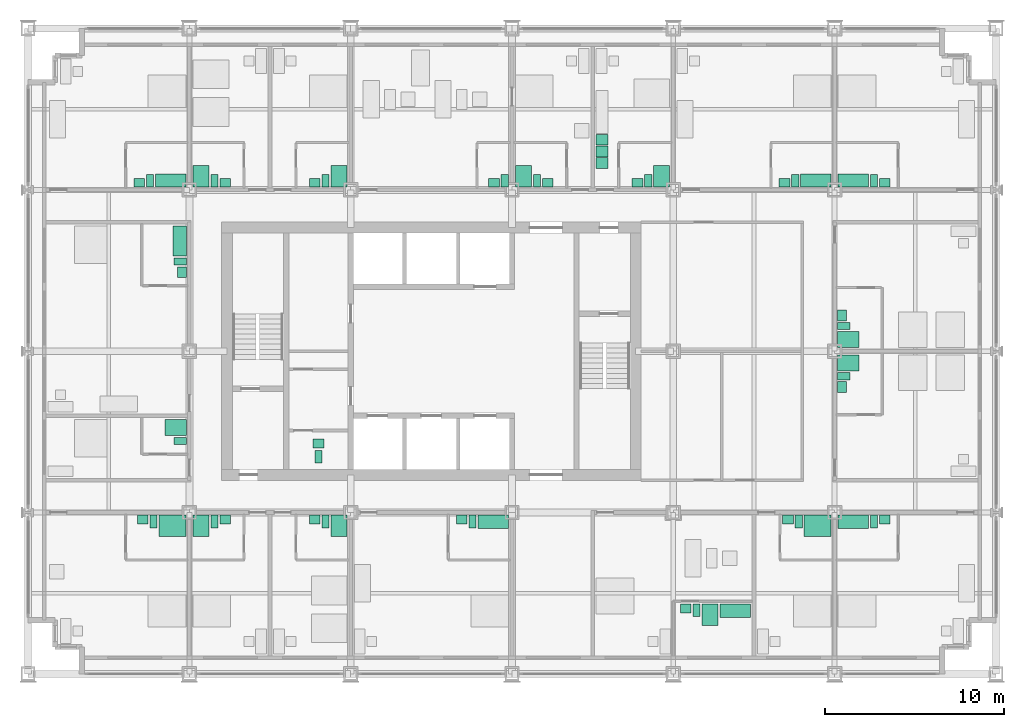
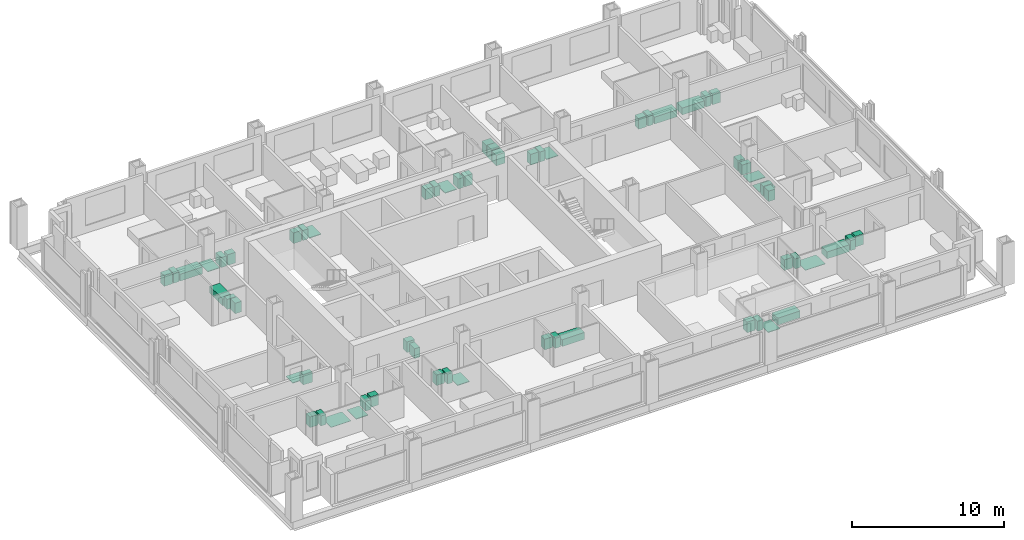
# One storey, part 17 of 18: 58 sanitary terminals, 3 electric appliances.
"""IFC4 building model written with IfcOpenShell, lengths in metres."""

from ifc_helpers import new_model, si_unit, direction, frame, origin, origin_2d, place, context, subcontext, project, spatial, rectangle, extrude, element, save


model = new_model("IFC4")

# Units and contexts
model_context = context("Model", 3, precision=1e-05, world=origin(), true_north=direction((0.0, 1.0)))
body_context = subcontext(model_context, "Body", "Model", "MODEL_VIEW")
ifc_project = project(units=[si_unit("LENGTHUNIT", "METRE"), si_unit("AREAUNIT", "SQUARE_METRE"), si_unit("VOLUMEUNIT", "CUBIC_METRE"), si_unit("PLANEANGLEUNIT", "RADIAN"), si_unit("MASSUNIT", "GRAM", prefix="KILO")], contexts=[model_context])

# Site, building, storey
site_placement = place(None, origin())
site = spatial("IfcSite", under=ifc_project, at=site_placement, CompositionType="ELEMENT")
building_placement = place(site_placement, origin())
building = spatial("IfcBuilding", under=site, at=building_placement, Name="Loomwork Tower", CompositionType="ELEMENT")
storey_placement = place(building_placement, frame((0.0, 0.0, 31.39990234375)))
storey = spatial("IfcBuildingStorey", under=building, at=storey_placement, Name="L06", CompositionType="ELEMENT", Elevation=31.39990234375)

# Sanitary terminals
sanitary_terminal_1_placement = place(storey_placement, frame((8.050048828125, 8.25, 0.0), z_axis=(0.0, 0.0, 1.0), x_axis=(1.0, 0.0, 0.0)))
element("IfcSanitaryTerminal", 1, at=sanitary_terminal_1_placement, inside=storey, Name="Roll-in shower floor L06", PredefinedType="SHOWER", context=body_context, shape_type="SweptSolid", body=[
    extrude(rectangle(XDim=1.5, YDim=1.199951171875, at=origin_2d()), origin(), (0.0, 0.0, 1.0), 0.030029296875),
])
sanitary_terminal_2_placement = place(storey_placement, frame((7.0, 8.5, 0.0), z_axis=(0.0, 0.0, 1.0), x_axis=(1.0, 0.0, 0.0)))
element("IfcSanitaryTerminal", 2, at=sanitary_terminal_2_placement, inside=storey, Name="WC L06", PredefinedType="TOILETPAN", context=body_context, shape_type="SweptSolid", body=[
    extrude(rectangle(XDim=0.39990234375, YDim=0.699951171875, at=origin_2d()), origin(), (0.0, 0.0, 1.0), 0.800048828125),
])
sanitary_terminal_3_placement = place(storey_placement, frame((6.39990234375, 8.60009765625, 0.0), z_axis=(0.0, 0.0, 1.0), x_axis=(1.0, 0.0, 0.0)))
element("IfcSanitaryTerminal", 3, at=sanitary_terminal_3_placement, inside=storey, Name="Basin vanity L06", PredefinedType="WASHHANDBASIN", context=body_context, shape_type="SweptSolid", body=[
    extrude(rectangle(XDim=0.60009765625, YDim=0.5, at=origin_2d()), origin(), (0.0, 0.0, 1.0), 0.85009765625),
])
sanitary_terminal_4_placement = place(storey_placement, frame((9.64990234375, 8.25, 0.0), z_axis=(0.0, 0.0, 1.0), x_axis=(1.0, 0.0, 0.0)))
element("IfcSanitaryTerminal", 4, at=sanitary_terminal_4_placement, inside=storey, Name="Shower tray L06", PredefinedType="SHOWER", context=body_context, shape_type="SweptSolid", body=[
    extrude(rectangle(XDim=0.89990234375, YDim=1.199951171875, at=origin_2d()), origin(), (0.0, 0.0, 1.0), 0.050048828125),
])
sanitary_terminal_5_placement = place(storey_placement, frame((10.39990234375, 8.5, 0.0), z_axis=(0.0, 0.0, 1.0), x_axis=(1.0, 0.0, 0.0)))
element("IfcSanitaryTerminal", 5, at=sanitary_terminal_5_placement, inside=storey, Name="WC L06", PredefinedType="TOILETPAN", context=body_context, shape_type="SweptSolid", body=[
    extrude(rectangle(XDim=0.39990234375, YDim=0.699951171875, at=origin_2d()), origin(), (0.0, 0.0, 1.0), 0.800048828125),
])
sanitary_terminal_6_placement = place(storey_placement, frame((11.0, 8.60009765625, 0.0), z_axis=(0.0, 0.0, 1.0), x_axis=(1.0, 0.0, 0.0)))
element("IfcSanitaryTerminal", 6, at=sanitary_terminal_6_placement, inside=storey, Name="Basin vanity L06", PredefinedType="WASHHANDBASIN", context=body_context, shape_type="SweptSolid", body=[
    extrude(rectangle(XDim=0.60009765625, YDim=0.5, at=origin_2d()), origin(), (0.0, 0.0, 1.0), 0.85009765625),
])
sanitary_terminal_7_placement = place(storey_placement, frame((17.35009765625, 8.25, 0.0), z_axis=(0.0, 0.0, 1.0), x_axis=(1.0, 0.0, 0.0)))
element("IfcSanitaryTerminal", 7, at=sanitary_terminal_7_placement, inside=storey, Name="Shower tray L06", PredefinedType="SHOWER", context=body_context, shape_type="SweptSolid", body=[
    extrude(rectangle(XDim=0.89990234375, YDim=1.199951171875, at=origin_2d()), origin(), (0.0, 0.0, 1.0), 0.050048828125),
])
sanitary_terminal_8_placement = place(storey_placement, frame((16.60009765625, 8.5, 0.0), z_axis=(0.0, 0.0, 1.0), x_axis=(1.0, 0.0, 0.0)))
element("IfcSanitaryTerminal", 8, at=sanitary_terminal_8_placement, inside=storey, Name="WC L06", PredefinedType="TOILETPAN", context=body_context, shape_type="SweptSolid", body=[
    extrude(rectangle(XDim=0.39990234375, YDim=0.699951171875, at=origin_2d()), origin(), (0.0, 0.0, 1.0), 0.800048828125),
])
sanitary_terminal_9_placement = place(storey_placement, frame((16.0, 8.60009765625, 0.0), z_axis=(0.0, 0.0, 1.0), x_axis=(1.0, 0.0, 0.0)))
element("IfcSanitaryTerminal", 9, at=sanitary_terminal_9_placement, inside=storey, Name="Basin vanity L06", PredefinedType="WASHHANDBASIN", context=body_context, shape_type="SweptSolid", body=[
    extrude(rectangle(XDim=0.60009765625, YDim=0.5, at=origin_2d()), origin(), (0.0, 0.0, 1.0), 0.85009765625),
])
sanitary_terminal_10_placement = place(storey_placement, frame((25.949951171875, 8.47509765625, 0.0), z_axis=(0.0, 0.0, 1.0), x_axis=(1.0, 0.0, 0.0)))
element("IfcSanitaryTerminal", 10, at=sanitary_terminal_10_placement, inside=storey, Name="Bath L06", PredefinedType="BATH", context=body_context, shape_type="SweptSolid", body=[
    extrude(rectangle(XDim=1.699951171875, YDim=0.75, at=origin_2d()), origin(), (0.0, 0.0, 1.0), 0.550048828125),
])
sanitary_terminal_11_placement = place(storey_placement, frame((24.800048828125, 8.5, 0.0), z_axis=(0.0, 0.0, 1.0), x_axis=(1.0, 0.0, 0.0)))
element("IfcSanitaryTerminal", 11, at=sanitary_terminal_11_placement, inside=storey, Name="WC L06", PredefinedType="TOILETPAN", context=body_context, shape_type="SweptSolid", body=[
    extrude(rectangle(XDim=0.39990234375, YDim=0.699951171875, at=origin_2d()), origin(), (0.0, 0.0, 1.0), 0.800048828125),
])
sanitary_terminal_12_placement = place(storey_placement, frame((24.199951171875, 8.60009765625, 0.0), z_axis=(0.0, 0.0, 1.0), x_axis=(1.0, 0.0, 0.0)))
element("IfcSanitaryTerminal", 12, at=sanitary_terminal_12_placement, inside=storey, Name="Basin vanity L06", PredefinedType="WASHHANDBASIN", context=body_context, shape_type="SweptSolid", body=[
    extrude(rectangle(XDim=0.60009765625, YDim=0.5, at=origin_2d()), origin(), (0.0, 0.0, 1.0), 0.85009765625),
])
sanitary_terminal_13_placement = place(storey_placement, frame((39.449951171875, 3.52490234375, 0.0), z_axis=(0.0, 0.0, 1.0), x_axis=(1.0, 0.0, 0.0)))
element("IfcSanitaryTerminal", 13, at=sanitary_terminal_13_placement, inside=storey, Name="Bath L06", PredefinedType="BATH", context=body_context, shape_type="SweptSolid", body=[
    extrude(rectangle(XDim=1.699951171875, YDim=0.75, at=origin_2d()), origin(), (0.0, 0.0, 1.0), 0.550048828125),
])
sanitary_terminal_14_placement = place(storey_placement, frame((38.050048828125, 3.300048828125, 0.0), z_axis=(0.0, 0.0, 1.0), x_axis=(1.0, 0.0, 0.0)))
element("IfcSanitaryTerminal", 14, at=sanitary_terminal_14_placement, inside=storey, Name="Shower tray L06", PredefinedType="SHOWER", context=body_context, shape_type="SweptSolid", body=[
    extrude(rectangle(XDim=0.89990234375, YDim=1.199951171875, at=origin_2d()), origin(), (0.0, 0.0, 1.0), 0.050048828125),
])
sanitary_terminal_15_placement = place(storey_placement, frame((37.300048828125, 3.550048828125, 0.0), z_axis=(0.0, 0.0, 1.0), x_axis=(1.0, 0.0, 0.0)))
element("IfcSanitaryTerminal", 15, at=sanitary_terminal_15_placement, inside=storey, Name="WC L06", PredefinedType="TOILETPAN", context=body_context, shape_type="SweptSolid", body=[
    extrude(rectangle(XDim=0.39990234375, YDim=0.699951171875, at=origin_2d()), origin(), (0.0, 0.0, 1.0), 0.800048828125),
])
sanitary_terminal_16_placement = place(storey_placement, frame((36.699951171875, 3.64990234375, 0.0), z_axis=(0.0, 0.0, 1.0), x_axis=(1.0, 0.0, 0.0)))
element("IfcSanitaryTerminal", 16, at=sanitary_terminal_16_placement, inside=storey, Name="Basin vanity L06", PredefinedType="WASHHANDBASIN", context=body_context, shape_type="SweptSolid", body=[
    extrude(rectangle(XDim=0.60009765625, YDim=0.5, at=origin_2d()), origin(), (0.0, 0.0, 1.0), 0.85009765625),
])
sanitary_terminal_17_placement = place(storey_placement, frame((44.050048828125, 8.25, 0.0), z_axis=(0.0, 0.0, 1.0), x_axis=(1.0, 0.0, 0.0)))
element("IfcSanitaryTerminal", 17, at=sanitary_terminal_17_placement, inside=storey, Name="Roll-in shower floor L06", PredefinedType="SHOWER", context=body_context, shape_type="SweptSolid", body=[
    extrude(rectangle(XDim=1.5, YDim=1.199951171875, at=origin_2d()), origin(), (0.0, 0.0, 1.0), 0.030029296875),
])
sanitary_terminal_18_placement = place(storey_placement, frame((43.0, 8.5, 0.0), z_axis=(0.0, 0.0, 1.0), x_axis=(1.0, 0.0, 0.0)))
element("IfcSanitaryTerminal", 18, at=sanitary_terminal_18_placement, inside=storey, Name="WC L06", PredefinedType="TOILETPAN", context=body_context, shape_type="SweptSolid", body=[
    extrude(rectangle(XDim=0.39990234375, YDim=0.699951171875, at=origin_2d()), origin(), (0.0, 0.0, 1.0), 0.800048828125),
])
sanitary_terminal_19_placement = place(storey_placement, frame((42.39990234375, 8.60009765625, 0.0), z_axis=(0.0, 0.0, 1.0), x_axis=(1.0, 0.0, 0.0)))
element("IfcSanitaryTerminal", 19, at=sanitary_terminal_19_placement, inside=storey, Name="Basin vanity L06", PredefinedType="WASHHANDBASIN", context=body_context, shape_type="SweptSolid", body=[
    extrude(rectangle(XDim=0.60009765625, YDim=0.5, at=origin_2d()), origin(), (0.0, 0.0, 1.0), 0.85009765625),
])
sanitary_terminal_20_placement = place(storey_placement, frame((46.050048828125, 8.47509765625, 0.0), z_axis=(0.0, 0.0, 1.0), x_axis=(1.0, 0.0, 0.0)))
element("IfcSanitaryTerminal", 20, at=sanitary_terminal_20_placement, inside=storey, Name="Bath L06", PredefinedType="BATH", context=body_context, shape_type="SweptSolid", body=[
    extrude(rectangle(XDim=1.699951171875, YDim=0.75, at=origin_2d()), origin(), (0.0, 0.0, 1.0), 0.550048828125),
])
sanitary_terminal_21_placement = place(storey_placement, frame((47.199951171875, 8.5, 0.0), z_axis=(0.0, 0.0, 1.0), x_axis=(1.0, 0.0, 0.0)))
element("IfcSanitaryTerminal", 21, at=sanitary_terminal_21_placement, inside=storey, Name="WC L06", PredefinedType="TOILETPAN", context=body_context, shape_type="SweptSolid", body=[
    extrude(rectangle(XDim=0.39990234375, YDim=0.699951171875, at=origin_2d()), origin(), (0.0, 0.0, 1.0), 0.800048828125),
])
sanitary_terminal_22_placement = place(storey_placement, frame((47.800048828125, 8.60009765625, 0.0), z_axis=(0.0, 0.0, 1.0), x_axis=(1.0, 0.0, 0.0)))
element("IfcSanitaryTerminal", 22, at=sanitary_terminal_22_placement, inside=storey, Name="Basin vanity L06", PredefinedType="WASHHANDBASIN", context=body_context, shape_type="SweptSolid", body=[
    extrude(rectangle(XDim=0.60009765625, YDim=0.5, at=origin_2d()), origin(), (0.0, 0.0, 1.0), 0.85009765625),
])
sanitary_terminal_23_placement = place(storey_placement, frame((7.949951171875, 27.52490234375, 0.0), z_axis=(0.0, 0.0, 1.0), x_axis=(1.0, 0.0, 0.0)))
element("IfcSanitaryTerminal", 23, at=sanitary_terminal_23_placement, inside=storey, Name="Bath L06", PredefinedType="BATH", context=body_context, shape_type="SweptSolid", body=[
    extrude(rectangle(XDim=1.699951171875, YDim=0.75, at=origin_2d()), origin(), (0.0, 0.0, 1.0), 0.550048828125),
])
sanitary_terminal_24_placement = place(storey_placement, frame((6.800048828125, 27.5, 0.0), z_axis=(0.0, 0.0, 1.0), x_axis=(1.0, 0.0, 0.0)))
element("IfcSanitaryTerminal", 24, at=sanitary_terminal_24_placement, inside=storey, Name="WC L06", PredefinedType="TOILETPAN", context=body_context, shape_type="SweptSolid", body=[
    extrude(rectangle(XDim=0.39990234375, YDim=0.699951171875, at=origin_2d()), origin(), (0.0, 0.0, 1.0), 0.800048828125),
])
sanitary_terminal_25_placement = place(storey_placement, frame((6.199951171875, 27.39990234375, 0.0), z_axis=(0.0, 0.0, 1.0), x_axis=(1.0, 0.0, 0.0)))
element("IfcSanitaryTerminal", 25, at=sanitary_terminal_25_placement, inside=storey, Name="Basin vanity L06", PredefinedType="WASHHANDBASIN", context=body_context, shape_type="SweptSolid", body=[
    extrude(rectangle(XDim=0.60009765625, YDim=0.5, at=origin_2d()), origin(), (0.0, 0.0, 1.0), 0.85009765625),
])
sanitary_terminal_26_placement = place(storey_placement, frame((9.64990234375, 27.75, 0.0), z_axis=(0.0, 0.0, 1.0), x_axis=(1.0, 0.0, 0.0)))
element("IfcSanitaryTerminal", 26, at=sanitary_terminal_26_placement, inside=storey, Name="Shower tray L06", PredefinedType="SHOWER", context=body_context, shape_type="SweptSolid", body=[
    extrude(rectangle(XDim=0.89990234375, YDim=1.199951171875, at=origin_2d()), origin(), (0.0, 0.0, 1.0), 0.050048828125),
])
sanitary_terminal_27_placement = place(storey_placement, frame((10.39990234375, 27.5, 0.0), z_axis=(0.0, 0.0, 1.0), x_axis=(1.0, 0.0, 0.0)))
element("IfcSanitaryTerminal", 27, at=sanitary_terminal_27_placement, inside=storey, Name="WC L06", PredefinedType="TOILETPAN", context=body_context, shape_type="SweptSolid", body=[
    extrude(rectangle(XDim=0.39990234375, YDim=0.699951171875, at=origin_2d()), origin(), (0.0, 0.0, 1.0), 0.800048828125),
])
sanitary_terminal_28_placement = place(storey_placement, frame((11.0, 27.39990234375, 0.0), z_axis=(0.0, 0.0, 1.0), x_axis=(1.0, 0.0, 0.0)))
element("IfcSanitaryTerminal", 28, at=sanitary_terminal_28_placement, inside=storey, Name="Basin vanity L06", PredefinedType="WASHHANDBASIN", context=body_context, shape_type="SweptSolid", body=[
    extrude(rectangle(XDim=0.60009765625, YDim=0.5, at=origin_2d()), origin(), (0.0, 0.0, 1.0), 0.85009765625),
])
sanitary_terminal_29_placement = place(storey_placement, frame((17.35009765625, 27.75, 0.0), z_axis=(0.0, 0.0, 1.0), x_axis=(1.0, 0.0, 0.0)))
element("IfcSanitaryTerminal", 29, at=sanitary_terminal_29_placement, inside=storey, Name="Shower tray L06", PredefinedType="SHOWER", context=body_context, shape_type="SweptSolid", body=[
    extrude(rectangle(XDim=0.89990234375, YDim=1.199951171875, at=origin_2d()), origin(), (0.0, 0.0, 1.0), 0.050048828125),
])
sanitary_terminal_30_placement = place(storey_placement, frame((16.60009765625, 27.5, 0.0), z_axis=(0.0, 0.0, 1.0), x_axis=(1.0, 0.0, 0.0)))
element("IfcSanitaryTerminal", 30, at=sanitary_terminal_30_placement, inside=storey, Name="WC L06", PredefinedType="TOILETPAN", context=body_context, shape_type="SweptSolid", body=[
    extrude(rectangle(XDim=0.39990234375, YDim=0.699951171875, at=origin_2d()), origin(), (0.0, 0.0, 1.0), 0.800048828125),
])
sanitary_terminal_31_placement = place(storey_placement, frame((16.0, 27.39990234375, 0.0), z_axis=(0.0, 0.0, 1.0), x_axis=(1.0, 0.0, 0.0)))
element("IfcSanitaryTerminal", 31, at=sanitary_terminal_31_placement, inside=storey, Name="Basin vanity L06", PredefinedType="WASHHANDBASIN", context=body_context, shape_type="SweptSolid", body=[
    extrude(rectangle(XDim=0.60009765625, YDim=0.5, at=origin_2d()), origin(), (0.0, 0.0, 1.0), 0.85009765625),
])
sanitary_terminal_32_placement = place(storey_placement, frame((26.60009765625, 27.5, 0.0), z_axis=(0.0, 0.0, 1.0), x_axis=(1.0, 0.0, 0.0)))
element("IfcSanitaryTerminal", 32, at=sanitary_terminal_32_placement, inside=storey, Name="WC L06", PredefinedType="TOILETPAN", context=body_context, shape_type="SweptSolid", body=[
    extrude(rectangle(XDim=0.39990234375, YDim=0.699951171875, at=origin_2d()), origin(), (0.0, 0.0, 1.0), 0.800048828125),
])
sanitary_terminal_33_placement = place(storey_placement, frame((26.0, 27.39990234375, 0.0), z_axis=(0.0, 0.0, 1.0), x_axis=(1.0, 0.0, 0.0)))
element("IfcSanitaryTerminal", 33, at=sanitary_terminal_33_placement, inside=storey, Name="Basin vanity L06", PredefinedType="WASHHANDBASIN", context=body_context, shape_type="SweptSolid", body=[
    extrude(rectangle(XDim=0.60009765625, YDim=0.5, at=origin_2d()), origin(), (0.0, 0.0, 1.0), 0.85009765625),
])
sanitary_terminal_34_placement = place(storey_placement, frame((27.64990234375, 27.75, 0.0), z_axis=(0.0, 0.0, 1.0), x_axis=(1.0, 0.0, 0.0)))
element("IfcSanitaryTerminal", 34, at=sanitary_terminal_34_placement, inside=storey, Name="Shower tray L06", PredefinedType="SHOWER", context=body_context, shape_type="SweptSolid", body=[
    extrude(rectangle(XDim=0.89990234375, YDim=1.199951171875, at=origin_2d()), origin(), (0.0, 0.0, 1.0), 0.050048828125),
])
sanitary_terminal_35_placement = place(storey_placement, frame((28.39990234375, 27.5, 0.0), z_axis=(0.0, 0.0, 1.0), x_axis=(1.0, 0.0, 0.0)))
element("IfcSanitaryTerminal", 35, at=sanitary_terminal_35_placement, inside=storey, Name="WC L06", PredefinedType="TOILETPAN", context=body_context, shape_type="SweptSolid", body=[
    extrude(rectangle(XDim=0.39990234375, YDim=0.699951171875, at=origin_2d()), origin(), (0.0, 0.0, 1.0), 0.800048828125),
])
sanitary_terminal_36_placement = place(storey_placement, frame((29.0, 27.39990234375, 0.0), z_axis=(0.0, 0.0, 1.0), x_axis=(1.0, 0.0, 0.0)))
element("IfcSanitaryTerminal", 36, at=sanitary_terminal_36_placement, inside=storey, Name="Basin vanity L06", PredefinedType="WASHHANDBASIN", context=body_context, shape_type="SweptSolid", body=[
    extrude(rectangle(XDim=0.60009765625, YDim=0.5, at=origin_2d()), origin(), (0.0, 0.0, 1.0), 0.85009765625),
])
sanitary_terminal_37_placement = place(storey_placement, frame((35.35009765625, 27.75, 0.0), z_axis=(0.0, 0.0, 1.0), x_axis=(1.0, 0.0, 0.0)))
element("IfcSanitaryTerminal", 37, at=sanitary_terminal_37_placement, inside=storey, Name="Shower tray L06", PredefinedType="SHOWER", context=body_context, shape_type="SweptSolid", body=[
    extrude(rectangle(XDim=0.89990234375, YDim=1.199951171875, at=origin_2d()), origin(), (0.0, 0.0, 1.0), 0.050048828125),
])
sanitary_terminal_38_placement = place(storey_placement, frame((34.60009765625, 27.5, 0.0), z_axis=(0.0, 0.0, 1.0), x_axis=(1.0, 0.0, 0.0)))
element("IfcSanitaryTerminal", 38, at=sanitary_terminal_38_placement, inside=storey, Name="WC L06", PredefinedType="TOILETPAN", context=body_context, shape_type="SweptSolid", body=[
    extrude(rectangle(XDim=0.39990234375, YDim=0.699951171875, at=origin_2d()), origin(), (0.0, 0.0, 1.0), 0.800048828125),
])
sanitary_terminal_39_placement = place(storey_placement, frame((34.0, 27.39990234375, 0.0), z_axis=(0.0, 0.0, 1.0), x_axis=(1.0, 0.0, 0.0)))
element("IfcSanitaryTerminal", 39, at=sanitary_terminal_39_placement, inside=storey, Name="Basin vanity L06", PredefinedType="WASHHANDBASIN", context=body_context, shape_type="SweptSolid", body=[
    extrude(rectangle(XDim=0.60009765625, YDim=0.5, at=origin_2d()), origin(), (0.0, 0.0, 1.0), 0.85009765625),
])

# Electric appliances
electric_appliance_1_placement = place(storey_placement, frame((32.02490234375, 28.5, 0.0), z_axis=(0.0, 0.0, 1.0), x_axis=(1.0, 0.0, 0.0)))
element("IfcElectricAppliance", 40, at=electric_appliance_1_placement, inside=storey, Name="Refrigerator L06", PredefinedType="REFRIGERATOR", context=body_context, shape_type="SweptSolid", body=[
    extrude(rectangle(XDim=0.64990234375, YDim=0.60009765625, at=origin_2d()), origin(), (0.0, 0.0, 1.0), 0.85009765625),
])
electric_appliance_2_placement = place(storey_placement, frame((32.02490234375, 29.14990234375, 0.000244140625), z_axis=(0.0, 0.0, 1.0), x_axis=(1.0, 0.0, 0.0)))
element("IfcElectricAppliance", 41, at=electric_appliance_2_placement, inside=storey, Name="Two-ring cooktop and oven L06", PredefinedType="ELECTRICCOOKER", context=body_context, shape_type="SweptSolid", body=[
    extrude(rectangle(XDim=0.64990234375, YDim=0.60009765625, at=origin_2d()), origin(), (0.0, 0.0, 1.0), 0.89990234375),
])
electric_appliance_3_placement = place(storey_placement, frame((32.02490234375, 29.800048828125, 0.0), z_axis=(0.0, 0.0, 1.0), x_axis=(1.0, 0.0, 0.0)))
element("IfcElectricAppliance", 42, at=electric_appliance_3_placement, inside=storey, Name="Dishwasher L06", PredefinedType="DISHWASHER", context=body_context, shape_type="SweptSolid", body=[
    extrude(rectangle(XDim=0.64990234375, YDim=0.60009765625, at=origin_2d()), origin(), (0.0, 0.0, 1.0), 0.85009765625),
])

# Sanitary terminals
sanitary_terminal_40_placement = place(storey_placement, frame((43.949951171875, 27.52490234375, 0.0), z_axis=(0.0, 0.0, 1.0), x_axis=(1.0, 0.0, 0.0)))
element("IfcSanitaryTerminal", 43, at=sanitary_terminal_40_placement, inside=storey, Name="Bath L06", PredefinedType="BATH", context=body_context, shape_type="SweptSolid", body=[
    extrude(rectangle(XDim=1.699951171875, YDim=0.75, at=origin_2d()), origin(), (0.0, 0.0, 1.0), 0.550048828125),
])
sanitary_terminal_41_placement = place(storey_placement, frame((42.800048828125, 27.5, 0.0), z_axis=(0.0, 0.0, 1.0), x_axis=(1.0, 0.0, 0.0)))
element("IfcSanitaryTerminal", 44, at=sanitary_terminal_41_placement, inside=storey, Name="WC L06", PredefinedType="TOILETPAN", context=body_context, shape_type="SweptSolid", body=[
    extrude(rectangle(XDim=0.39990234375, YDim=0.699951171875, at=origin_2d()), origin(), (0.0, 0.0, 1.0), 0.800048828125),
])
sanitary_terminal_42_placement = place(storey_placement, frame((42.199951171875, 27.39990234375, 0.0), z_axis=(0.0, 0.0, 1.0), x_axis=(1.0, 0.0, 0.0)))
element("IfcSanitaryTerminal", 45, at=sanitary_terminal_42_placement, inside=storey, Name="Basin vanity L06", PredefinedType="WASHHANDBASIN", context=body_context, shape_type="SweptSolid", body=[
    extrude(rectangle(XDim=0.60009765625, YDim=0.5, at=origin_2d()), origin(), (0.0, 0.0, 1.0), 0.85009765625),
])
sanitary_terminal_43_placement = place(storey_placement, frame((46.050048828125, 27.52490234375, 0.0), z_axis=(0.0, 0.0, 1.0), x_axis=(1.0, 0.0, 0.0)))
element("IfcSanitaryTerminal", 46, at=sanitary_terminal_43_placement, inside=storey, Name="Bath L06", PredefinedType="BATH", context=body_context, shape_type="SweptSolid", body=[
    extrude(rectangle(XDim=1.699951171875, YDim=0.75, at=origin_2d()), origin(), (0.0, 0.0, 1.0), 0.550048828125),
])
sanitary_terminal_44_placement = place(storey_placement, frame((47.199951171875, 27.5, 0.0), z_axis=(0.0, 0.0, 1.0), x_axis=(1.0, 0.0, 0.0)))
element("IfcSanitaryTerminal", 47, at=sanitary_terminal_44_placement, inside=storey, Name="WC L06", PredefinedType="TOILETPAN", context=body_context, shape_type="SweptSolid", body=[
    extrude(rectangle(XDim=0.39990234375, YDim=0.699951171875, at=origin_2d()), origin(), (0.0, 0.0, 1.0), 0.800048828125),
])
sanitary_terminal_45_placement = place(storey_placement, frame((47.800048828125, 27.39990234375, 0.0), z_axis=(0.0, 0.0, 1.0), x_axis=(1.0, 0.0, 0.0)))
element("IfcSanitaryTerminal", 48, at=sanitary_terminal_45_placement, inside=storey, Name="Basin vanity L06", PredefinedType="WASHHANDBASIN", context=body_context, shape_type="SweptSolid", body=[
    extrude(rectangle(XDim=0.60009765625, YDim=0.5, at=origin_2d()), origin(), (0.0, 0.0, 1.0), 0.85009765625),
])
sanitary_terminal_46_placement = place(storey_placement, frame((8.25, 13.75, 0.0), z_axis=(0.0, 0.0, 1.0), x_axis=(1.0, 0.0, 0.0)))
element("IfcSanitaryTerminal", 49, at=sanitary_terminal_46_placement, inside=storey, Name="Shower tray L06", PredefinedType="SHOWER", context=body_context, shape_type="SweptSolid", body=[
    extrude(rectangle(XDim=1.199951171875, YDim=0.89990234375, at=origin_2d()), origin(), (0.0, 0.0, 1.0), 0.050048828125),
])
sanitary_terminal_47_placement = place(storey_placement, frame((8.5, 13.0, 0.0), z_axis=(0.0, 0.0, 1.0), x_axis=(1.0, 0.0, 0.0)))
element("IfcSanitaryTerminal", 50, at=sanitary_terminal_47_placement, inside=storey, Name="WC L06", PredefinedType="TOILETPAN", context=body_context, shape_type="SweptSolid", body=[
    extrude(rectangle(XDim=0.699951171875, YDim=0.39990234375, at=origin_2d()), origin(), (0.0, 0.0, 1.0), 0.800048828125),
])
sanitary_terminal_48_placement = place(storey_placement, frame((8.47509765625, 24.14990234375, 0.0), z_axis=(0.0, 0.0, 1.0), x_axis=(1.0, 0.0, 0.0)))
element("IfcSanitaryTerminal", 51, at=sanitary_terminal_48_placement, inside=storey, Name="Bath L06", PredefinedType="BATH", context=body_context, shape_type="SweptSolid", body=[
    extrude(rectangle(XDim=0.75, YDim=1.699951171875, at=origin_2d()), origin(), (0.0, 0.0, 1.0), 0.550048828125),
])
sanitary_terminal_49_placement = place(storey_placement, frame((8.5, 23.0, 0.0), z_axis=(0.0, 0.0, 1.0), x_axis=(1.0, 0.0, 0.0)))
element("IfcSanitaryTerminal", 52, at=sanitary_terminal_49_placement, inside=storey, Name="WC L06", PredefinedType="TOILETPAN", context=body_context, shape_type="SweptSolid", body=[
    extrude(rectangle(XDim=0.699951171875, YDim=0.39990234375, at=origin_2d()), origin(), (0.0, 0.0, 1.0), 0.800048828125),
])
sanitary_terminal_50_placement = place(storey_placement, frame((8.60009765625, 22.39990234375, 0.0), z_axis=(0.0, 0.0, 1.0), x_axis=(1.0, 0.0, 0.0)))
element("IfcSanitaryTerminal", 53, at=sanitary_terminal_50_placement, inside=storey, Name="Basin vanity L06", PredefinedType="WASHHANDBASIN", context=body_context, shape_type="SweptSolid", body=[
    extrude(rectangle(XDim=0.5, YDim=0.60009765625, at=origin_2d()), origin(), (0.0, 0.0, 1.0), 0.85009765625),
])
sanitary_terminal_51_placement = place(storey_placement, frame((45.75, 17.35009765625, 0.0), z_axis=(0.0, 0.0, 1.0), x_axis=(1.0, 0.0, 0.0)))
element("IfcSanitaryTerminal", 54, at=sanitary_terminal_51_placement, inside=storey, Name="Shower tray L06", PredefinedType="SHOWER", context=body_context, shape_type="SweptSolid", body=[
    extrude(rectangle(XDim=1.199951171875, YDim=0.89990234375, at=origin_2d()), origin(), (0.0, 0.0, 1.0), 0.050048828125),
])
sanitary_terminal_52_placement = place(storey_placement, frame((45.5, 16.60009765625, 0.0), z_axis=(0.0, 0.0, 1.0), x_axis=(1.0, 0.0, 0.0)))
element("IfcSanitaryTerminal", 55, at=sanitary_terminal_52_placement, inside=storey, Name="WC L06", PredefinedType="TOILETPAN", context=body_context, shape_type="SweptSolid", body=[
    extrude(rectangle(XDim=0.699951171875, YDim=0.39990234375, at=origin_2d()), origin(), (0.0, 0.0, 1.0), 0.800048828125),
])
sanitary_terminal_53_placement = place(storey_placement, frame((45.39990234375, 16.0, 0.0), z_axis=(0.0, 0.0, 1.0), x_axis=(1.0, 0.0, 0.0)))
element("IfcSanitaryTerminal", 56, at=sanitary_terminal_53_placement, inside=storey, Name="Basin vanity L06", PredefinedType="WASHHANDBASIN", context=body_context, shape_type="SweptSolid", body=[
    extrude(rectangle(XDim=0.5, YDim=0.60009765625, at=origin_2d()), origin(), (0.0, 0.0, 1.0), 0.85009765625),
])
sanitary_terminal_54_placement = place(storey_placement, frame((45.75, 18.64990234375, 0.0), z_axis=(0.0, 0.0, 1.0), x_axis=(1.0, 0.0, 0.0)))
element("IfcSanitaryTerminal", 57, at=sanitary_terminal_54_placement, inside=storey, Name="Shower tray L06", PredefinedType="SHOWER", context=body_context, shape_type="SweptSolid", body=[
    extrude(rectangle(XDim=1.199951171875, YDim=0.89990234375, at=origin_2d()), origin(), (0.0, 0.0, 1.0), 0.050048828125),
])
sanitary_terminal_55_placement = place(storey_placement, frame((45.5, 19.39990234375, 0.0), z_axis=(0.0, 0.0, 1.0), x_axis=(1.0, 0.0, 0.0)))
element("IfcSanitaryTerminal", 58, at=sanitary_terminal_55_placement, inside=storey, Name="WC L06", PredefinedType="TOILETPAN", context=body_context, shape_type="SweptSolid", body=[
    extrude(rectangle(XDim=0.699951171875, YDim=0.39990234375, at=origin_2d()), origin(), (0.0, 0.0, 1.0), 0.800048828125),
])
sanitary_terminal_56_placement = place(storey_placement, frame((45.39990234375, 20.0, 0.0), z_axis=(0.0, 0.0, 1.0), x_axis=(1.0, 0.0, 0.0)))
element("IfcSanitaryTerminal", 59, at=sanitary_terminal_56_placement, inside=storey, Name="Basin vanity L06", PredefinedType="WASHHANDBASIN", context=body_context, shape_type="SweptSolid", body=[
    extrude(rectangle(XDim=0.5, YDim=0.60009765625, at=origin_2d()), origin(), (0.0, 0.0, 1.0), 0.85009765625),
])
sanitary_terminal_57_placement = place(storey_placement, frame((16.199951171875, 12.10009765625, 0.0), z_axis=(0.0, 0.0, 1.0), x_axis=(1.0, 0.0, 0.0)))
element("IfcSanitaryTerminal", 60, at=sanitary_terminal_57_placement, inside=storey, Name="WC L06", PredefinedType="TOILETPAN", context=body_context, shape_type="SweptSolid", body=[
    extrude(rectangle(XDim=0.39990234375, YDim=0.699951171875, at=origin_2d()), origin(), (0.0, 0.0, 1.0), 0.800048828125),
])
sanitary_terminal_58_placement = place(storey_placement, frame((16.199951171875, 12.85009765625, 0.0), z_axis=(0.0, 0.0, 1.0), x_axis=(1.0, 0.0, 0.0)))
element("IfcSanitaryTerminal", 61, at=sanitary_terminal_58_placement, inside=storey, Name="Basin L06", PredefinedType="WASHHANDBASIN", context=body_context, shape_type="SweptSolid", body=[
    extrude(rectangle(XDim=0.60009765625, YDim=0.5, at=origin_2d()), origin(), (0.0, 0.0, 1.0), 0.85009765625),
])

save(model, "model.ifc")
